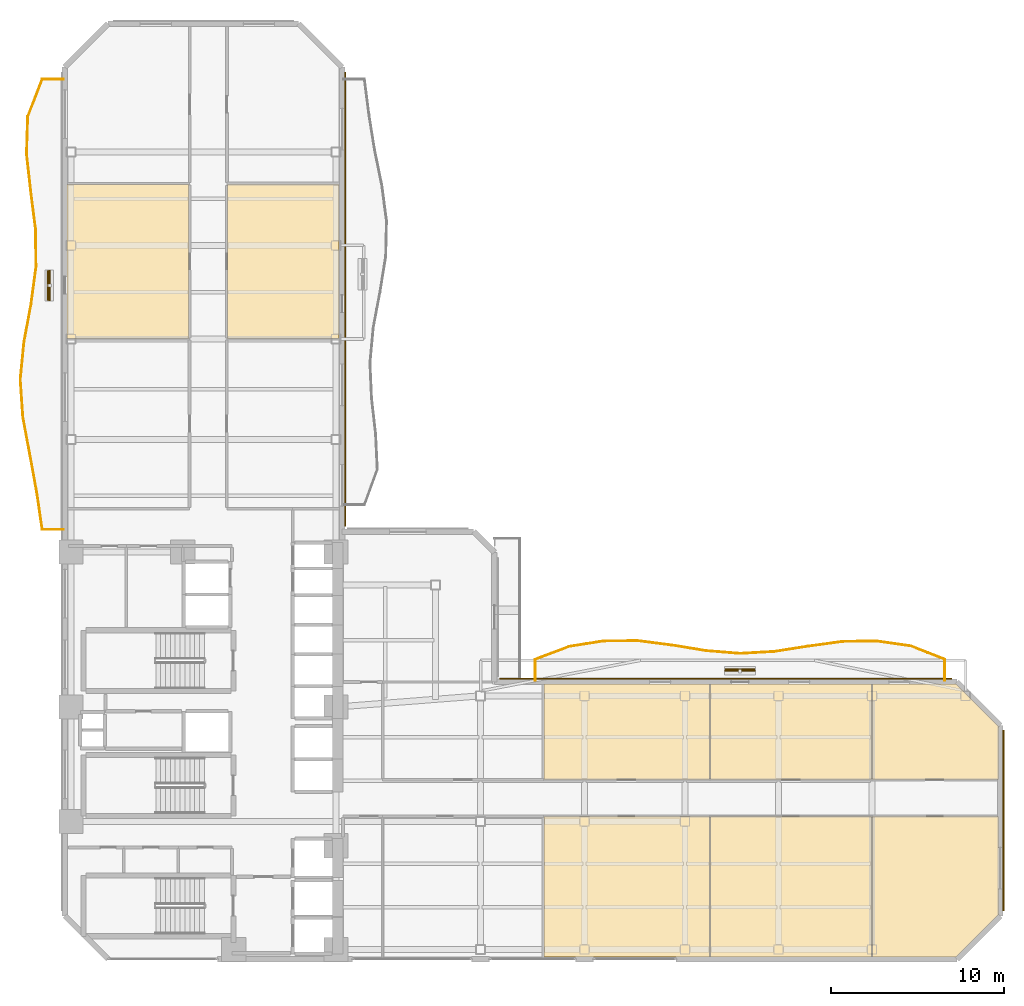
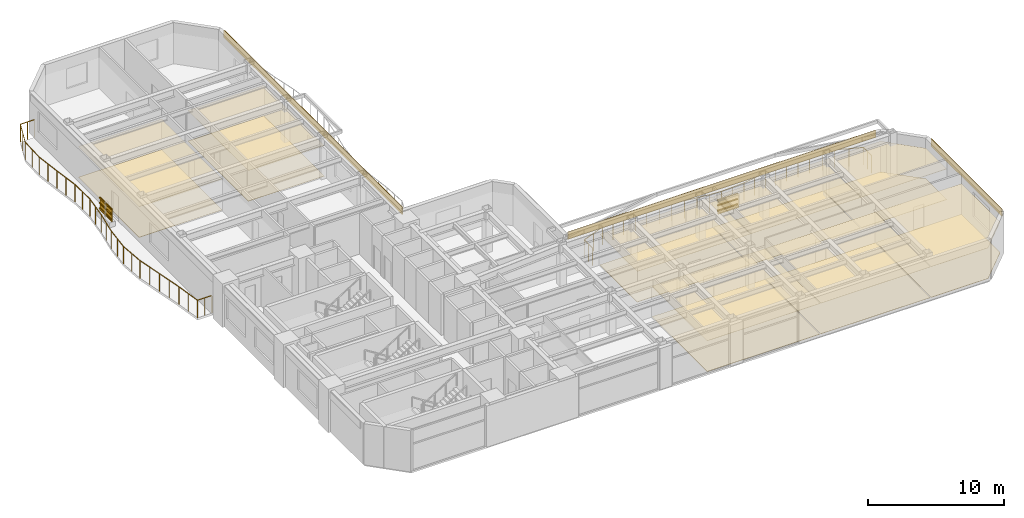
# One storey, part 16 of 17: 19 coverings, 8 shading devices, 2 railings.
"""IFC4 building model written with IfcOpenShell, lengths in metres."""

from ifc_helpers import new_model, si_unit, direction, frame, origin, origin_2d, place, context, subcontext, project, spatial, polyline, rectangle, outline, extrude, material, layer, layer_set, material_profile, profile_set, type_object, element, save


model = new_model("IFC4")

# Units and contexts
model_context = context("Model", 3, precision=1e-05, world=origin(), true_north=direction((0.0, 1.0)))
body_context = subcontext(model_context, "Body", "Model", "MODEL_VIEW")
ifc_project = project(units=[si_unit("LENGTHUNIT", "METRE"), si_unit("AREAUNIT", "SQUARE_METRE"), si_unit("VOLUMEUNIT", "CUBIC_METRE"), si_unit("PLANEANGLEUNIT", "RADIAN"), si_unit("MASSUNIT", "GRAM", prefix="KILO")], contexts=[model_context])

# Site, building, storey
site_placement = place(None, origin())
site = spatial("IfcSite", under=ifc_project, at=site_placement, CompositionType="ELEMENT")
building_placement = place(site_placement, origin())
building = spatial("IfcBuilding", under=site, at=building_placement, Name="Mawjaban Terraces University", CompositionType="ELEMENT")
storey_placement = place(building_placement, frame((0.0, 0.0, 85.60009765625)))
storey = spatial("IfcBuildingStorey", under=building, at=storey_placement, Name="L20", CompositionType="ELEMENT", Elevation=85.60009765625)

# Coverings
ifc_material_1 = material(Name="Acoustic mineral fibre ceiling tile", Category="masonry")
ifc_layer_1 = layer(ifc_material_1, 0.02001953125)
ifc_layer_set_1 = layer_set([ifc_layer_1], Name="Acoustic mineral fibre ceiling tile")
covering_type_1 = type_object("IfcCoveringType", Name="AcousticMineralCeiling_20", PredefinedType="CEILING", material=ifc_layer_set_1)
covering_1_placement = place(storey_placement, frame((0.0, 0.0, 2.75)))
element("IfcCovering", 1, at=covering_1_placement, inside=storey, type_object=covering_type_1, Name="L20 Seminar Room 4 Acoustic Ceiling", PredefinedType="CEILING", context=body_context, shape_type="SweptSolid", body=[
    extrude(outline(polyline([(49.64892578125, 0.114990234375), (59.215087890625, 0.114990234375), (59.215087890625, 8.219970703125), (49.64892578125, 8.219970703125), (49.64892578125, 0.114990234375)])), origin(), (0.0, 0.0, 1.0), 0.02001953125),
])
covering_2_placement = place(storey_placement, frame((0.0, 0.0, 2.75)))
element("IfcCovering", 2, at=covering_2_placement, inside=storey, type_object=covering_type_1, Name="L20 Tutorial Room 5 Acoustic Ceiling", PredefinedType="CEILING", context=body_context, shape_type="SweptSolid", body=[
    extrude(outline(polyline([(59.215087890625, 15.885009765625), (49.64892578125, 15.885009765625), (49.64892578125, 10.3798828125), (59.215087890625, 10.3798828125), (59.215087890625, 15.885009765625)])), origin(), (0.0, 0.0, 1.0), 0.02001953125),
])
covering_3_placement = place(storey_placement, frame((0.0, 0.0, 2.75)))
element("IfcCovering", 3, at=covering_3_placement, inside=storey, type_object=covering_type_1, Name="L20 Conference Room 6 Acoustic Ceiling", PredefinedType="CEILING", context=body_context, shape_type="SweptSolid", body=[
    extrude(outline(polyline([(59.27490234375, 0.114990234375), (68.570068359375, 0.114990234375), (68.570068359375, 8.219970703125), (59.27490234375, 8.219970703125), (59.27490234375, 0.114990234375)])), origin(), (0.0, 0.0, 1.0), 0.02001953125),
])
covering_4_placement = place(storey_placement, frame((0.0, 0.0, 2.75)))
element("IfcCovering", 4, at=covering_4_placement, inside=storey, type_object=covering_type_1, Name="L20 Classroom 7 Acoustic Ceiling", PredefinedType="CEILING", context=body_context, shape_type="SweptSolid", body=[
    extrude(outline(polyline([(68.570068359375, 15.885009765625), (59.27490234375, 15.885009765625), (59.27490234375, 10.3798828125), (68.570068359375, 10.3798828125), (68.570068359375, 15.885009765625)])), origin(), (0.0, 0.0, 1.0), 0.02001953125),
])
covering_5_placement = place(storey_placement, frame((0.0, 0.0, 2.75)))
element("IfcCovering", 5, at=covering_5_placement, inside=storey, type_object=covering_type_1, Name="L20 Seminar Room 8 Acoustic Ceiling", PredefinedType="CEILING", context=body_context, shape_type="SweptSolid", body=[
    extrude(outline(polyline([(68.6298828125, 0.114990234375), (73.452880859375, 0.114990234375), (75.885009765625, 2.547119140625), (75.885009765625, 8.219970703125), (68.6298828125, 8.219970703125), (68.6298828125, 0.114990234375)])), origin(), (0.0, 0.0, 1.0), 0.02001953125),
])
covering_6_placement = place(storey_placement, frame((0.0, 0.0, 2.75)))
element("IfcCovering", 6, at=covering_6_placement, inside=storey, type_object=covering_type_1, Name="L20 Tutorial Room 9 Acoustic Ceiling", PredefinedType="CEILING", context=body_context, shape_type="SweptSolid", body=[
    extrude(outline(polyline([(75.885009765625, 10.3798828125), (75.885009765625, 13.452880859375), (73.452880859375, 15.885009765625), (68.6298828125, 15.885009765625), (68.6298828125, 10.3798828125), (75.885009765625, 10.3798828125)])), origin(), (0.0, 0.0, 1.0), 0.02001953125),
])
covering_7_placement = place(storey_placement, frame((0.0, 0.0, 2.75)))
element("IfcCovering", 7, at=covering_7_placement, inside=storey, type_object=covering_type_1, Name="L20 Quiet Reading Room 12 Acoustic Ceiling", PredefinedType="CEILING", context=body_context, shape_type="SweptSolid", body=[
    extrude(outline(polyline([(22.114990234375, 44.72998046875), (22.114990234375, 35.830078125), (29.169921875, 35.830078125), (29.169921875, 44.72998046875), (22.114990234375, 44.72998046875)])), origin(), (0.0, 0.0, 1.0), 0.02001953125),
])
covering_8_placement = place(storey_placement, frame((0.0, 0.0, 2.75)))
element("IfcCovering", 8, at=covering_8_placement, inside=storey, type_object=covering_type_1, Name="L20 Reading Salon 13 Acoustic Ceiling", PredefinedType="CEILING", context=body_context, shape_type="SweptSolid", body=[
    extrude(outline(polyline([(37.820068359375, 35.830078125), (37.820068359375, 44.72998046875), (31.3798828125, 44.72998046875), (31.3798828125, 35.830078125), (37.820068359375, 35.830078125)])), origin(), (0.0, 0.0, 1.0), 0.02001953125),
])

# Railings
ifc_material_2 = material(Name="Galvanised powder-coated steel S355", Category="steel")
railing_type = type_object("IfcRailingType", Name="BalconyBalustrade_1600", PredefinedType="BALUSTRADE", material=ifc_material_2)
railing_1_placement = place(storey_placement, frame((21.919921875, 24.800048828125, 0.0)))
element("IfcRailing", 9, at=railing_1_placement, inside=storey, type_object=railing_type, Name="L20 Balcony Guardrail west", PredefinedType="BALUSTRADE", context=body_context, shape_type="SweptSolid", body=[
    extrude(rectangle(XDim=0.048095703125, YDim=0.048095703125, at=origin_2d()), frame((0.0, 0.0, 1.576171875), z_axis=(-1.0, 0.0, 0.0), x_axis=(0.0, -1.0, 0.0)), (0.0, 0.0, 1.0), 1.219970703125),
    extrude(rectangle(XDim=0.048095703125, YDim=0.048095703125, at=origin_2d()), frame((-1.219970703125, 0.0, 1.576171875), z_axis=(-0.145134557046, 0.989411926526, 0.0), x_axis=(-0.989411926526, -0.145134557046, 0.0)), (0.0, 0.0, 1.0), 2.190185546875),
    extrude(rectangle(XDim=0.048095703125, YDim=0.048095703125, at=origin_2d()), frame((-1.537841796875, 2.1669921875, 1.576171875), z_axis=(-0.179841551957, 0.983695591222, 0.0), x_axis=(-0.983695591222, -0.179841551957, 0.0)), (0.0, 0.0, 1.0), 2.201904296875),
    extrude(rectangle(XDim=0.048095703125, YDim=0.048095703125, at=origin_2d()), frame((-1.933837890625, 4.3330078125, 1.576171875), z_axis=(-0.184154813787, 0.982897250255, 0.0), x_axis=(-0.982897250255, -0.184154813787, 0.0)), (0.0, 0.0, 1.0), 2.20458984375),
    extrude(rectangle(XDim=0.048095703125, YDim=0.048095703125, at=origin_2d()), frame((-2.33984375, 6.5, 1.576171875), z_axis=(-0.06766788608, 0.99770790174, 0.0), x_axis=(-0.99770790174, -0.06766788608, 0.0)), (0.0, 0.0, 1.0), 2.171875),
    extrude(rectangle(XDim=0.048095703125, YDim=0.048095703125, at=origin_2d()), frame((-2.48681640625, 8.6669921875, 1.576171875), z_axis=(0.097370987251, 0.995248155407, 0.0), x_axis=(-0.995248155407, 0.097370987251, 0.0)), (0.0, 0.0, 1.0), 2.17626953125),
    extrude(rectangle(XDim=0.048095703125, YDim=0.048095703125, at=origin_2d()), frame((-2.27490234375, 10.8330078125, 1.576171875), z_axis=(0.183726837055, 0.982977339182, 0.0), x_axis=(-0.982977339182, 0.183726837055, 0.0)), (0.0, 0.0, 1.0), 2.20458984375),
    extrude(rectangle(XDim=0.048095703125, YDim=0.048095703125, at=origin_2d()), frame((-1.869873046875, 13.0, 1.576171875), z_axis=(0.132661087442, 0.991161458027, 0.0), x_axis=(-0.991161458027, 0.132661087442, 0.0)), (0.0, 0.0, 1.0), 2.186279296875),
    extrude(rectangle(XDim=0.048095703125, YDim=0.048095703125, at=origin_2d()), frame((-1.579833984375, 15.1669921875, 1.576171875), z_axis=(-0.011608775861, 0.999932615891, 0.0), x_axis=(-0.999932615891, -0.011608775861, 0.0)), (0.0, 0.0, 1.0), 2.166259765625),
    extrude(rectangle(XDim=0.048095703125, YDim=0.048095703125, at=origin_2d()), frame((-1.60498046875, 17.3330078125, 1.576171875), z_axis=(-0.125850320584, 0.992049241121, 0.0), x_axis=(-0.992049241121, -0.125850320584, 0.0)), (0.0, 0.0, 1.0), 2.184326171875),
    extrude(rectangle(XDim=0.048095703125, YDim=0.048095703125, at=origin_2d()), frame((-1.8798828125, 19.5, 1.576171875), z_axis=(-0.111955077603, 0.993713268805, 0.0), x_axis=(-0.993713268805, -0.111955077603, 0.0)), (0.0, 0.0, 1.0), 2.1806640625),
    extrude(rectangle(XDim=0.048095703125, YDim=0.048095703125, at=origin_2d()), frame((-2.1240234375, 21.6669921875, 1.576171875), z_axis=(0.029630806995, 0.999560911239, 0.0), x_axis=(-0.999560911239, 0.029630806995, 0.0)), (0.0, 0.0, 1.0), 2.1669921875),
    extrude(rectangle(XDim=0.048095703125, YDim=0.048095703125, at=origin_2d()), frame((-2.059814453125, 23.8330078125, 1.576171875), z_axis=(0.361371301616, 0.932421998007, 0.0), x_axis=(-0.932421998007, 0.361371301616, 0.0)), (0.0, 0.0, 1.0), 2.323974609375),
    extrude(rectangle(XDim=0.048095703125, YDim=0.048095703125, at=origin_2d()), frame((-1.219970703125, 26.0, 1.576171875), z_axis=(1.0, 0.0, 0.0), x_axis=(0.0, 1.0, 0.0)), (0.0, 0.0, 1.0), 1.219970703125),
    extrude(rectangle(XDim=0.0419921875, YDim=0.0419921875, at=origin_2d()), origin(), (0.0, 0.0, 1.0), 1.552001953125),
    extrude(rectangle(XDim=0.0419921875, YDim=0.0419921875, at=origin_2d()), frame((-0.60986328125, 0.0, 0.0)), (0.0, 0.0, 1.0), 1.552001953125),
    extrude(rectangle(XDim=0.0419921875, YDim=0.0419921875, at=origin_2d()), frame((-1.219970703125, 0.0, 0.0)), (0.0, 0.0, 1.0), 1.552001953125),
    extrude(rectangle(XDim=0.0419921875, YDim=0.0419921875, at=origin_2d()), frame((-1.37890625, 1.08349609375, 0.0)), (0.0, 0.0, 1.0), 1.552001953125),
    extrude(rectangle(XDim=0.0419921875, YDim=0.0419921875, at=origin_2d()), frame((-1.537841796875, 2.1669921875, 0.0)), (0.0, 0.0, 1.0), 1.552001953125),
    extrude(rectangle(XDim=0.0419921875, YDim=0.0419921875, at=origin_2d()), frame((-1.73583984375, 3.25, 0.0)), (0.0, 0.0, 1.0), 1.552001953125),
    extrude(rectangle(XDim=0.0419921875, YDim=0.0419921875, at=origin_2d()), frame((-1.933837890625, 4.3330078125, 0.0)), (0.0, 0.0, 1.0), 1.552001953125),
    extrude(rectangle(XDim=0.0419921875, YDim=0.0419921875, at=origin_2d()), frame((-2.13671875, 5.41650390625, 0.0)), (0.0, 0.0, 1.0), 1.552001953125),
    extrude(rectangle(XDim=0.0419921875, YDim=0.0419921875, at=origin_2d()), frame((-2.33984375, 6.5, 0.0)), (0.0, 0.0, 1.0), 1.552001953125),
    extrude(rectangle(XDim=0.0419921875, YDim=0.0419921875, at=origin_2d()), frame((-2.413330078125, 7.58349609375, 0.0)), (0.0, 0.0, 1.0), 1.552001953125),
    extrude(rectangle(XDim=0.0419921875, YDim=0.0419921875, at=origin_2d()), frame((-2.48681640625, 8.6669921875, 0.0)), (0.0, 0.0, 1.0), 1.552001953125),
    extrude(rectangle(XDim=0.0419921875, YDim=0.0419921875, at=origin_2d()), frame((-2.380859375, 9.75, 0.0)), (0.0, 0.0, 1.0), 1.552001953125),
    extrude(rectangle(XDim=0.0419921875, YDim=0.0419921875, at=origin_2d()), frame((-2.27490234375, 10.8330078125, 0.0)), (0.0, 0.0, 1.0), 1.552001953125),
    extrude(rectangle(XDim=0.0419921875, YDim=0.0419921875, at=origin_2d()), frame((-2.072265625, 11.91650390625, 0.0)), (0.0, 0.0, 1.0), 1.552001953125),
    extrude(rectangle(XDim=0.0419921875, YDim=0.0419921875, at=origin_2d()), frame((-1.869873046875, 13.0, 0.0)), (0.0, 0.0, 1.0), 1.552001953125),
    extrude(rectangle(XDim=0.0419921875, YDim=0.0419921875, at=origin_2d()), frame((-1.724853515625, 14.08349609375, 0.0)), (0.0, 0.0, 1.0), 1.552001953125),
    extrude(rectangle(XDim=0.0419921875, YDim=0.0419921875, at=origin_2d()), frame((-1.579833984375, 15.1669921875, 0.0)), (0.0, 0.0, 1.0), 1.552001953125),
    extrude(rectangle(XDim=0.0419921875, YDim=0.0419921875, at=origin_2d()), frame((-1.59228515625, 16.25, 0.0)), (0.0, 0.0, 1.0), 1.552001953125),
    extrude(rectangle(XDim=0.0419921875, YDim=0.0419921875, at=origin_2d()), frame((-1.60498046875, 17.3330078125, 0.0)), (0.0, 0.0, 1.0), 1.552001953125),
    extrude(rectangle(XDim=0.0419921875, YDim=0.0419921875, at=origin_2d()), frame((-1.742431640625, 18.41650390625, 0.0)), (0.0, 0.0, 1.0), 1.552001953125),
    extrude(rectangle(XDim=0.0419921875, YDim=0.0419921875, at=origin_2d()), frame((-1.8798828125, 19.5, 0.0)), (0.0, 0.0, 1.0), 1.552001953125),
    extrude(rectangle(XDim=0.0419921875, YDim=0.0419921875, at=origin_2d()), frame((-2.001953125, 20.58349609375, 0.0)), (0.0, 0.0, 1.0), 1.552001953125),
    extrude(rectangle(XDim=0.0419921875, YDim=0.0419921875, at=origin_2d()), frame((-2.1240234375, 21.6669921875, 0.0)), (0.0, 0.0, 1.0), 1.552001953125),
    extrude(rectangle(XDim=0.0419921875, YDim=0.0419921875, at=origin_2d()), frame((-2.091796875, 22.75, 0.0)), (0.0, 0.0, 1.0), 1.552001953125),
    extrude(rectangle(XDim=0.0419921875, YDim=0.0419921875, at=origin_2d()), frame((-2.059814453125, 23.8330078125, 0.0)), (0.0, 0.0, 1.0), 1.552001953125),
    extrude(rectangle(XDim=0.0419921875, YDim=0.0419921875, at=origin_2d()), frame((-1.639892578125, 24.91650390625, 0.0)), (0.0, 0.0, 1.0), 1.552001953125),
    extrude(rectangle(XDim=0.0419921875, YDim=0.0419921875, at=origin_2d()), frame((-1.219970703125, 26.0, 0.0)), (0.0, 0.0, 1.0), 1.552001953125),
    extrude(rectangle(XDim=0.0419921875, YDim=0.0419921875, at=origin_2d()), frame((-0.60986328125, 26.0, 0.0)), (0.0, 0.0, 1.0), 1.552001953125),
    extrude(rectangle(XDim=0.0419921875, YDim=0.0419921875, at=origin_2d()), frame((0.0, 26.0, 0.0)), (0.0, 0.0, 1.0), 1.552001953125),
])
railing_2_placement = place(storey_placement, frame((49.14990234375, 16.080078125, 0.0)))
element("IfcRailing", 10, at=railing_2_placement, inside=storey, type_object=railing_type, Name="L20 Balcony Guardrail inner_north", PredefinedType="BALUSTRADE", context=body_context, shape_type="SweptSolid", body=[
    extrude(rectangle(XDim=0.048095703125, YDim=0.048095703125, at=origin_2d()), frame((0.0, 0.0, 1.576171875), z_axis=(0.0, 1.0, 0.0), x_axis=(-1.0, 0.0, 0.0)), (0.0, 0.0, 1.0), 1.219970703125),
    extrude(rectangle(XDim=0.048095703125, YDim=0.048095703125, at=origin_2d()), frame((0.0, 1.219970703125, 1.576171875), z_axis=(0.935287293715, 0.353889358719, 0.0), x_axis=(-0.353889358719, 0.935287293715, 0.0)), (0.0, 0.0, 1.0), 2.107666015625),
    extrude(rectangle(XDim=0.048095703125, YDim=0.048095703125, at=origin_2d()), frame((1.97119140625, 1.9658203125, 1.576171875), z_axis=(0.987624702509, 0.156835732518, 0.0), x_axis=(-0.156835732518, 0.987624702509, 0.0)), (0.0, 0.0, 1.0), 1.99560546875),
    extrude(rectangle(XDim=0.048095703125, YDim=0.048095703125, at=origin_2d()), frame((3.942138671875, 2.27880859375, 1.576171875), z_axis=(0.999966549959, 0.008179178622, 0.0), x_axis=(-0.008179178622, 0.999966549959, 0.0)), (0.0, 0.0, 1.0), 1.969970703125),
    extrude(rectangle(XDim=0.048095703125, YDim=0.048095703125, at=origin_2d()), frame((5.912109375, 2.294921875, 1.576171875), z_axis=(0.991989795125, -0.12631803659, 0.0), x_axis=(0.12631803659, 0.991989795125, 0.0)), (0.0, 0.0, 1.0), 1.98681640625),
    extrude(rectangle(XDim=0.048095703125, YDim=0.048095703125, at=origin_2d()), frame((7.883056640625, 2.0439453125, 1.576171875), z_axis=(0.986836301375, -0.161722337015, 0.0), x_axis=(0.161722337015, 0.986836301375, 0.0)), (0.0, 0.0, 1.0), 1.997314453125),
    extrude(rectangle(XDim=0.048095703125, YDim=0.048095703125, at=origin_2d()), frame((9.85400390625, 1.720947265625, 1.576171875), z_axis=(0.996635407097, -0.081962584879, 0.0), x_axis=(0.081962584879, 0.996635407097, 0.0)), (0.0, 0.0, 1.0), 1.977783203125),
    extrude(rectangle(XDim=0.048095703125, YDim=0.048095703125, at=origin_2d()), frame((11.8251953125, 1.558837890625, 1.576171875), z_axis=(0.99833104137, 0.057750600312, 0.0), x_axis=(-0.057750600312, 0.99833104137, 0.0)), (0.0, 0.0, 1.0), 1.97412109375),
    extrude(rectangle(XDim=0.048095703125, YDim=0.048095703125, at=origin_2d()), frame((13.796142578125, 1.6728515625, 1.576171875), z_axis=(0.988224058442, 0.153013758585, 0.0), x_axis=(-0.153013758585, 0.988224058442, 0.0)), (0.0, 0.0, 1.0), 1.994384765625),
    extrude(rectangle(XDim=0.048095703125, YDim=0.048095703125, at=origin_2d()), frame((15.76708984375, 1.97802734375, 1.576171875), z_axis=(0.990603931211, 0.136762024956, 0.0), x_axis=(-0.136762024956, 0.990603931211, 0.0)), (0.0, 0.0, 1.0), 1.98876953125),
    extrude(rectangle(XDim=0.048095703125, YDim=0.048095703125, at=origin_2d()), frame((17.737060546875, 2.25, 1.576171875), z_axis=(0.99990718354, 0.013624401114, 0.0), x_axis=(-0.013624401114, 0.99990718354, 0.0)), (0.0, 0.0, 1.0), 1.97119140625),
    extrude(rectangle(XDim=0.048095703125, YDim=0.048095703125, at=origin_2d()), frame((19.7080078125, 2.27685546875, 1.576171875), z_axis=(0.98992250229, -0.141610167221, 0.0), x_axis=(0.141610167221, 0.98992250229, 0.0)), (0.0, 0.0, 1.0), 1.9912109375),
    extrude(rectangle(XDim=0.048095703125, YDim=0.048095703125, at=origin_2d()), frame((21.67919921875, 1.994873046875, 1.576171875), z_axis=(0.930654778631, -0.365898459974, 0.0), x_axis=(0.365898459974, 0.930654778631, 0.0)), (0.0, 0.0, 1.0), 2.117919921875),
    extrude(rectangle(XDim=0.048095703125, YDim=0.048095703125, at=origin_2d()), frame((23.650146484375, 1.219970703125, 1.576171875), z_axis=(0.0, -1.0, 0.0), x_axis=(1.0, 0.0, 0.0)), (0.0, 0.0, 1.0), 1.219970703125),
    extrude(rectangle(XDim=0.0419921875, YDim=0.0419921875, at=origin_2d()), origin(), (0.0, 0.0, 1.0), 1.552001953125),
    extrude(rectangle(XDim=0.0419921875, YDim=0.0419921875, at=origin_2d()), frame((0.0, 0.60986328125, 0.0)), (0.0, 0.0, 1.0), 1.552001953125),
    extrude(rectangle(XDim=0.0419921875, YDim=0.0419921875, at=origin_2d()), frame((0.0, 1.219970703125, 0.0)), (0.0, 0.0, 1.0), 1.552001953125),
    extrude(rectangle(XDim=0.0419921875, YDim=0.0419921875, at=origin_2d()), frame((0.985595703125, 1.5927734375, 0.0)), (0.0, 0.0, 1.0), 1.552001953125),
    extrude(rectangle(XDim=0.0419921875, YDim=0.0419921875, at=origin_2d()), frame((1.97119140625, 1.9658203125, 0.0)), (0.0, 0.0, 1.0), 1.552001953125),
    extrude(rectangle(XDim=0.0419921875, YDim=0.0419921875, at=origin_2d()), frame((2.95654296875, 2.122314453125, 0.0)), (0.0, 0.0, 1.0), 1.552001953125),
    extrude(rectangle(XDim=0.0419921875, YDim=0.0419921875, at=origin_2d()), frame((3.942138671875, 2.27880859375, 0.0)), (0.0, 0.0, 1.0), 1.552001953125),
    extrude(rectangle(XDim=0.0419921875, YDim=0.0419921875, at=origin_2d()), frame((4.92724609375, 2.286865234375, 0.0)), (0.0, 0.0, 1.0), 1.552001953125),
    extrude(rectangle(XDim=0.0419921875, YDim=0.0419921875, at=origin_2d()), frame((5.912109375, 2.294921875, 0.0)), (0.0, 0.0, 1.0), 1.552001953125),
    extrude(rectangle(XDim=0.0419921875, YDim=0.0419921875, at=origin_2d()), frame((6.8974609375, 2.16943359375, 0.0)), (0.0, 0.0, 1.0), 1.552001953125),
    extrude(rectangle(XDim=0.0419921875, YDim=0.0419921875, at=origin_2d()), frame((7.883056640625, 2.0439453125, 0.0)), (0.0, 0.0, 1.0), 1.552001953125),
    extrude(rectangle(XDim=0.0419921875, YDim=0.0419921875, at=origin_2d()), frame((8.86865234375, 1.88232421875, 0.0)), (0.0, 0.0, 1.0), 1.552001953125),
    extrude(rectangle(XDim=0.0419921875, YDim=0.0419921875, at=origin_2d()), frame((9.85400390625, 1.720947265625, 0.0)), (0.0, 0.0, 1.0), 1.552001953125),
    extrude(rectangle(XDim=0.0419921875, YDim=0.0419921875, at=origin_2d()), frame((10.839599609375, 1.639892578125, 0.0)), (0.0, 0.0, 1.0), 1.552001953125),
    extrude(rectangle(XDim=0.0419921875, YDim=0.0419921875, at=origin_2d()), frame((11.8251953125, 1.558837890625, 0.0)), (0.0, 0.0, 1.0), 1.552001953125),
    extrude(rectangle(XDim=0.0419921875, YDim=0.0419921875, at=origin_2d()), frame((12.810546875, 1.61572265625, 0.0)), (0.0, 0.0, 1.0), 1.552001953125),
    extrude(rectangle(XDim=0.0419921875, YDim=0.0419921875, at=origin_2d()), frame((13.796142578125, 1.6728515625, 0.0)), (0.0, 0.0, 1.0), 1.552001953125),
    extrude(rectangle(XDim=0.0419921875, YDim=0.0419921875, at=origin_2d()), frame((14.78173828125, 1.825439453125, 0.0)), (0.0, 0.0, 1.0), 1.552001953125),
    extrude(rectangle(XDim=0.0419921875, YDim=0.0419921875, at=origin_2d()), frame((15.76708984375, 1.97802734375, 0.0)), (0.0, 0.0, 1.0), 1.552001953125),
    extrude(rectangle(XDim=0.0419921875, YDim=0.0419921875, at=origin_2d()), frame((16.751953125, 2.114013671875, 0.0)), (0.0, 0.0, 1.0), 1.552001953125),
    extrude(rectangle(XDim=0.0419921875, YDim=0.0419921875, at=origin_2d()), frame((17.737060546875, 2.25, 0.0)), (0.0, 0.0, 1.0), 1.552001953125),
    extrude(rectangle(XDim=0.0419921875, YDim=0.0419921875, at=origin_2d()), frame((18.72265625, 2.263427734375, 0.0)), (0.0, 0.0, 1.0), 1.552001953125),
    extrude(rectangle(XDim=0.0419921875, YDim=0.0419921875, at=origin_2d()), frame((19.7080078125, 2.27685546875, 0.0)), (0.0, 0.0, 1.0), 1.552001953125),
    extrude(rectangle(XDim=0.0419921875, YDim=0.0419921875, at=origin_2d()), frame((20.693603515625, 2.1357421875, 0.0)), (0.0, 0.0, 1.0), 1.552001953125),
    extrude(rectangle(XDim=0.0419921875, YDim=0.0419921875, at=origin_2d()), frame((21.67919921875, 1.994873046875, 0.0)), (0.0, 0.0, 1.0), 1.552001953125),
    extrude(rectangle(XDim=0.0419921875, YDim=0.0419921875, at=origin_2d()), frame((22.66455078125, 1.607421875, 0.0)), (0.0, 0.0, 1.0), 1.552001953125),
    extrude(rectangle(XDim=0.0419921875, YDim=0.0419921875, at=origin_2d()), frame((23.650146484375, 1.219970703125, 0.0)), (0.0, 0.0, 1.0), 1.552001953125),
    extrude(rectangle(XDim=0.0419921875, YDim=0.0419921875, at=origin_2d()), frame((23.650146484375, 0.60986328125, 0.0)), (0.0, 0.0, 1.0), 1.552001953125),
    extrude(rectangle(XDim=0.0419921875, YDim=0.0419921875, at=origin_2d()), frame((23.650146484375, 0.0, 0.0)), (0.0, 0.0, 1.0), 1.552001953125),
])

# Shading devices
ifc_material_3 = material(Name="Glazed architectural terracotta ceramic", Category="masonry")
ifc_material_profile = material_profile(ifc_material_3, rectangle(XDim=0.06494140625, YDim=0.110107421875, at=origin_2d()), Name="TBAG110X65")
ifc_profile_set = profile_set([ifc_material_profile], Name="Glazed architectural terracotta ceramic")
shading_device_type_1 = type_object("IfcShadingDeviceType", Name="TerracottaBaguette_110x65", PredefinedType="USERDEFINED", material=ifc_profile_set)
for number, where, z_axis, x_axis, name in (
    (11, (21.01708984375, 38.032958984375, 0.679931640625), (0.0, 1.0, 0.0), (-1.0, 0.0, 0.0), "L20 Horizontal Terracotta Baguette west.1"),
    (12, (21.01708984375, 38.032958984375, 1.14990234375), (0.0, 1.0, 0.0), (-1.0, 0.0, 0.0), "L20 Horizontal Terracotta Baguette west.2"),
    (13, (21.01708984375, 38.032958984375, 1.619873046875), (0.0, 1.0, 0.0), (-1.0, 0.0, 0.0), "L20 Horizontal Terracotta Baguette west.3"),
    (14, (60.125, 16.72998046875, 0.679931640625), (1.0, 0.0, 0.0), (0.0, 1.0, 0.0), "L20 Horizontal Terracotta Baguette inner_north.1"),
    (15, (60.125, 16.72998046875, 1.14990234375), (1.0, 0.0, 0.0), (0.0, 1.0, 0.0), "L20 Horizontal Terracotta Baguette inner_north.2"),
    (16, (60.125, 16.72998046875, 1.619873046875), (1.0, 0.0, 0.0), (0.0, 1.0, 0.0), "L20 Horizontal Terracotta Baguette inner_north.3"),
):
    element("IfcShadingDevice", number, at=place(storey_placement, frame(where, z_axis=z_axis, x_axis=x_axis)), inside=storey, type_object=shading_device_type_1, Name=name, ObjectType="BAGUETTE", PredefinedType="USERDEFINED", context=body_context, shape_type="SweptSolid", body=[
        extrude(rectangle(XDim=0.06494140625, YDim=0.110107421875, at=origin_2d()), origin(), (0.0, 0.0, 1.0), 1.699951171875),
    ])
ifc_layer_2 = layer(ifc_material_3, 0.080078125)
ifc_layer_set_2 = layer_set([ifc_layer_2], Name="Glazed architectural terracotta ceramic")
shading_device_type_2 = type_object("IfcShadingDeviceType", Name="TerracottaScreen_Perforated", PredefinedType="USERDEFINED", material=ifc_layer_set_2)
for number, where, z_axis, x_axis, name in (
    (17, (21.10205078125, 38.883056640625, 0.43994140625), (0.0, 0.0, 1.0), (0.0, 1.0, 0.0), "L20 Balcony Perforated Terracotta Screen west"),
    (18, (60.97509765625, 16.64501953125, 0.43994140625), (0.0, 0.0, 1.0), (1.0, 0.0, 0.0), "L20 Balcony Perforated Terracotta Screen inner_north"),
):
    element("IfcShadingDevice", number, at=place(storey_placement, frame(where, z_axis=z_axis, x_axis=x_axis)), inside=storey, type_object=shading_device_type_2, Name=name, ObjectType="SCREEN", PredefinedType="USERDEFINED", context=body_context, shape_type="SweptSolid", body=[
        extrude(rectangle(XDim=1.75, YDim=0.080078125, at=origin_2d()), origin(), (0.0, 0.0, 1.0), 1.14990234375),
    ])

# Coverings
ifc_material_4 = material(Name="Glazed architectural terracotta rainscreen", Category="masonry")
ifc_layer_3 = layer(ifc_material_4, 0.06005859375)
ifc_layer_set_3 = layer_set([ifc_layer_3], Name="Glazed architectural terracotta rainscreen")
covering_type_2 = type_object("IfcCoveringType", Name="TerracottaSpandrelCladding_60", PredefinedType="CLADDING", material=ifc_layer_set_3)
covering_9_placement = place(storey_placement, frame((76.18505859375, 8.0, 3.014892578125), z_axis=(0.0, 0.0, 1.0), x_axis=(0.0, 1.0, 0.0)))
element("IfcCovering", 19, at=covering_9_placement, inside=storey, type_object=covering_type_2, Name="L20 Terracotta Spandrel Cladding 3", PredefinedType="CLADDING", context=body_context, shape_type="SweptSolid", body=[
    extrude(rectangle(XDim=10.39990234375, YDim=0.06005859375, at=origin_2d()), origin(), (0.0, 0.0, 1.0), 0.64990234375),
])
covering_10_placement = place(storey_placement, frame((60.14990234375, 16.18505859375, 3.014892578125), z_axis=(0.0, 0.0, 1.0), x_axis=(-1.0, 0.0, 0.0)))
element("IfcCovering", 20, at=covering_10_placement, inside=storey, type_object=covering_type_2, Name="L20 Terracotta Spandrel Cladding 5", PredefinedType="CLADDING", context=body_context, shape_type="SweptSolid", body=[
    extrude(rectangle(XDim=26.10009765625, YDim=0.06005859375, at=origin_2d()), origin(), (0.0, 0.0, 1.0), 0.64990234375),
])
covering_11_placement = place(storey_placement, frame((38.18505859375, 38.093017578125, 3.014892578125), z_axis=(0.0, 0.0, 1.0), x_axis=(0.0, 1.0, 0.0)))
element("IfcCovering", 21, at=covering_11_placement, inside=storey, type_object=covering_type_2, Name="L20 Terracotta Spandrel Cladding 9", PredefinedType="CLADDING", context=body_context, shape_type="SweptSolid", body=[
    extrude(rectangle(XDim=26.215087890625, YDim=0.06005859375, at=origin_2d()), origin(), (0.0, 0.0, 1.0), 0.64990234375),
])
ifc_material_5 = material(Name="Polished Hijazi granite terrazzo flooring", Category="masonry")
ifc_layer_4 = layer(ifc_material_5, 0.02490234375)
ifc_layer_set_4 = layer_set([ifc_layer_4], Name="Polished Hijazi granite terrazzo flooring")
covering_type_3 = type_object("IfcCoveringType", Name="TerrazzoConcourseFlooring_25", PredefinedType="FLOORING", material=ifc_layer_set_4)
covering_12_placement = place(storey_placement, origin())
element("IfcCovering", 22, at=covering_12_placement, inside=storey, type_object=covering_type_3, Name="L20 Seminar Room 4 Terrazzo Flooring", PredefinedType="FLOORING", context=body_context, shape_type="SweptSolid", body=[
    extrude(outline(polyline([(49.64892578125, 0.114990234375), (59.215087890625, 0.114990234375), (59.215087890625, 8.219970703125), (49.64892578125, 8.219970703125), (49.64892578125, 0.114990234375)])), origin(), (0.0, 0.0, 1.0), 0.02490234375),
])
covering_13_placement = place(storey_placement, origin())
element("IfcCovering", 23, at=covering_13_placement, inside=storey, type_object=covering_type_3, Name="L20 Tutorial Room 5 Terrazzo Flooring", PredefinedType="FLOORING", context=body_context, shape_type="SweptSolid", body=[
    extrude(outline(polyline([(59.215087890625, 15.885009765625), (49.64892578125, 15.885009765625), (49.64892578125, 10.3798828125), (59.215087890625, 10.3798828125), (59.215087890625, 15.885009765625)])), origin(), (0.0, 0.0, 1.0), 0.02490234375),
])
covering_14_placement = place(storey_placement, origin())
element("IfcCovering", 24, at=covering_14_placement, inside=storey, type_object=covering_type_3, Name="L20 Conference Room 6 Terrazzo Flooring", PredefinedType="FLOORING", context=body_context, shape_type="SweptSolid", body=[
    extrude(outline(polyline([(59.27490234375, 0.114990234375), (68.570068359375, 0.114990234375), (68.570068359375, 8.219970703125), (59.27490234375, 8.219970703125), (59.27490234375, 0.114990234375)])), origin(), (0.0, 0.0, 1.0), 0.02490234375),
])
covering_15_placement = place(storey_placement, origin())
element("IfcCovering", 25, at=covering_15_placement, inside=storey, type_object=covering_type_3, Name="L20 Classroom 7 Terrazzo Flooring", PredefinedType="FLOORING", context=body_context, shape_type="SweptSolid", body=[
    extrude(outline(polyline([(68.570068359375, 15.885009765625), (59.27490234375, 15.885009765625), (59.27490234375, 10.3798828125), (68.570068359375, 10.3798828125), (68.570068359375, 15.885009765625)])), origin(), (0.0, 0.0, 1.0), 0.02490234375),
])
covering_16_placement = place(storey_placement, origin())
element("IfcCovering", 26, at=covering_16_placement, inside=storey, type_object=covering_type_3, Name="L20 Seminar Room 8 Terrazzo Flooring", PredefinedType="FLOORING", context=body_context, shape_type="SweptSolid", body=[
    extrude(outline(polyline([(68.6298828125, 0.114990234375), (73.452880859375, 0.114990234375), (75.885009765625, 2.547119140625), (75.885009765625, 8.219970703125), (68.6298828125, 8.219970703125), (68.6298828125, 0.114990234375)])), origin(), (0.0, 0.0, 1.0), 0.02490234375),
])
covering_17_placement = place(storey_placement, origin())
element("IfcCovering", 27, at=covering_17_placement, inside=storey, type_object=covering_type_3, Name="L20 Tutorial Room 9 Terrazzo Flooring", PredefinedType="FLOORING", context=body_context, shape_type="SweptSolid", body=[
    extrude(outline(polyline([(75.885009765625, 10.3798828125), (75.885009765625, 13.452880859375), (73.452880859375, 15.885009765625), (68.6298828125, 15.885009765625), (68.6298828125, 10.3798828125), (75.885009765625, 10.3798828125)])), origin(), (0.0, 0.0, 1.0), 0.02490234375),
])
covering_18_placement = place(storey_placement, origin())
element("IfcCovering", 28, at=covering_18_placement, inside=storey, type_object=covering_type_3, Name="L20 Quiet Reading Room 12 Terrazzo Flooring", PredefinedType="FLOORING", context=body_context, shape_type="SweptSolid", body=[
    extrude(outline(polyline([(22.114990234375, 44.72998046875), (22.114990234375, 35.830078125), (29.169921875, 35.830078125), (29.169921875, 44.72998046875), (22.114990234375, 44.72998046875)])), origin(), (0.0, 0.0, 1.0), 0.02490234375),
])
covering_19_placement = place(storey_placement, origin())
element("IfcCovering", 29, at=covering_19_placement, inside=storey, type_object=covering_type_3, Name="L20 Reading Salon 13 Terrazzo Flooring", PredefinedType="FLOORING", context=body_context, shape_type="SweptSolid", body=[
    extrude(outline(polyline([(37.820068359375, 35.830078125), (37.820068359375, 44.72998046875), (31.3798828125, 44.72998046875), (31.3798828125, 35.830078125), (37.820068359375, 35.830078125)])), origin(), (0.0, 0.0, 1.0), 0.02490234375),
])

save(model, "model.ifc")
